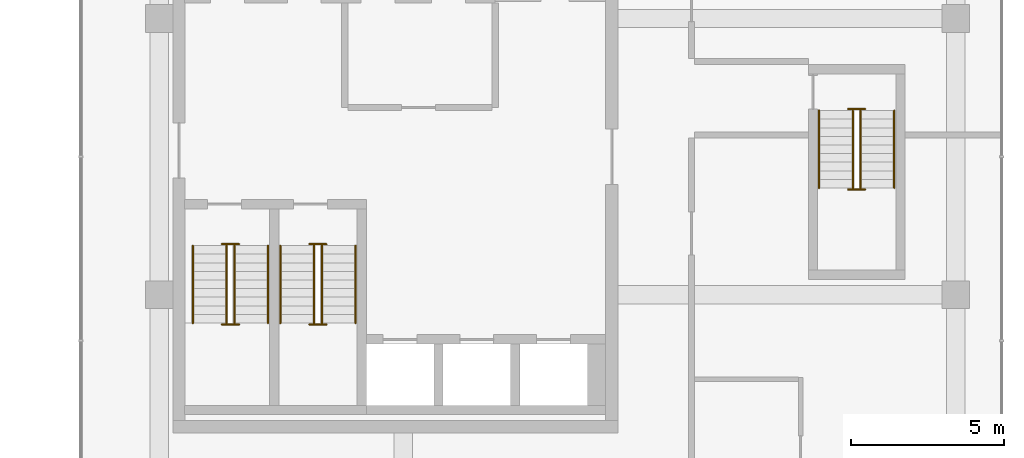
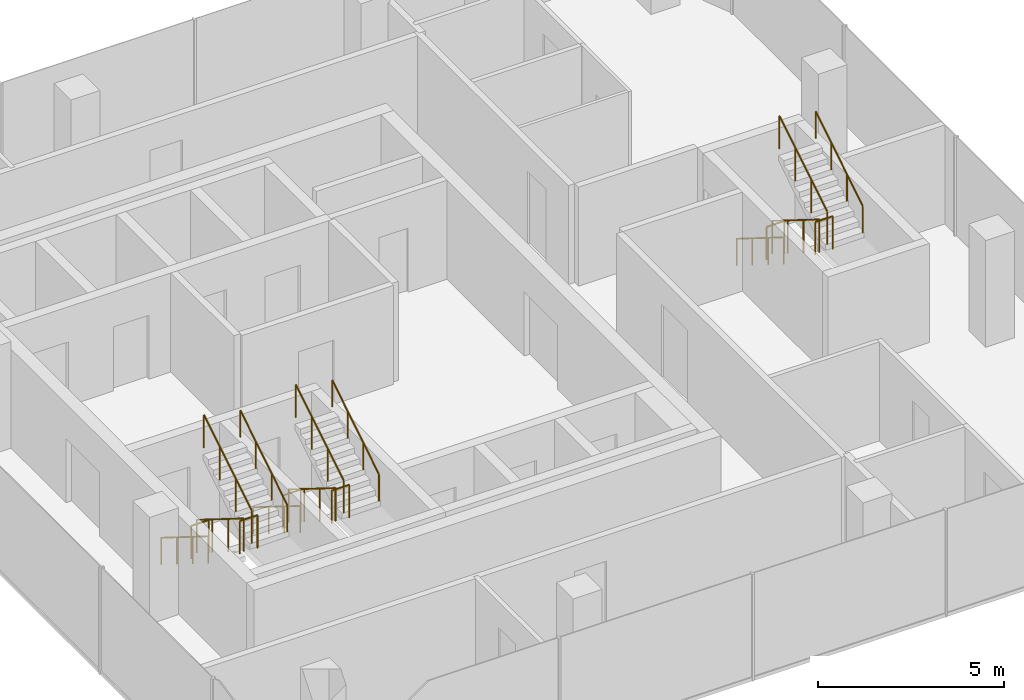
# One storey, part 22 of 22: 18 railings.
"""IFC4 building model written with IfcOpenShell, lengths in metres."""

from ifc_helpers import new_model, si_unit, direction, frame, origin, origin_2d, place, context, subcontext, project, spatial, circle, extrude, material, type_object, element, save


model = new_model("IFC4")

# Units and contexts
model_context = context("Model", 3, precision=1e-05, world=origin(), true_north=direction((0.0, 1.0)))
body_context = subcontext(model_context, "Body", "Model", "MODEL_VIEW")
ifc_project = project(units=[si_unit("LENGTHUNIT", "METRE"), si_unit("AREAUNIT", "SQUARE_METRE"), si_unit("VOLUMEUNIT", "CUBIC_METRE"), si_unit("PLANEANGLEUNIT", "RADIAN"), si_unit("MASSUNIT", "GRAM", prefix="KILO")], contexts=[model_context])

# Site, building, storey
site_placement = place(None, origin())
site = spatial("IfcSite", under=ifc_project, at=site_placement, CompositionType="ELEMENT")
building_placement = place(site_placement, origin())
building = spatial("IfcBuilding", under=site, at=building_placement, Name="Plateau Cross Towers", CompositionType="ELEMENT")
storey_placement = place(building_placement, frame((0.0, 0.0, 109.800048828125)))
storey = spatial("IfcBuildingStorey", under=building, at=storey_placement, Name="L28", CompositionType="ELEMENT", Elevation=109.800048828125)

# Railings
ifc_material_1 = material(Name="Stainless steel and toughened glass", Category="steel")
railing_type_1 = type_object("IfcRailingType", Name="RL-GUARD-1100", PredefinedType="GUARDRAIL", material=ifc_material_1)
railing_1_placement = place(storey_placement, frame((76.75, 6.10009765625, 0.175048828125)))
element("IfcRailing", 1, at=railing_1_placement, inside=storey, type_object=railing_type_1, Name="L28 SB-1 stair guard 1", PredefinedType="GUARDRAIL", context=body_context, shape_type="SweptSolid", body=[
    extrude(circle(Radius=0.02392578125, at=origin_2d()), frame((0.0, 0.0, 1.076171875), z_axis=(0.0, -0.848007534815, 0.529984170421), x_axis=(1.0, 0.0, 0.0)), (0.0, 0.0, 1.0), 2.9716796875),
    extrude(circle(Radius=0.02099609375, at=origin_2d()), origin(), (0.0, 0.0, 1.0), 1.052001953125),
    extrude(circle(Radius=0.02099609375, at=origin_2d()), frame((0.0, -0.840087890625, 0.52490234375)), (0.0, 0.0, 1.0), 1.052001953125),
    extrude(circle(Radius=0.02099609375, at=origin_2d()), frame((0.0, -1.679931640625, 1.050048828125)), (0.0, 0.0, 1.0), 1.052001953125),
    extrude(circle(Radius=0.02099609375, at=origin_2d()), frame((0.0, -2.52001953125, 1.574951171875)), (0.0, 0.0, 1.0), 1.052001953125),
])
railing_2_placement = place(storey_placement, frame((76.60009765625, 3.530029296875, 1.75)))
element("IfcRailing", 2, at=railing_2_placement, inside=storey, type_object=railing_type_1, Name="L28 SB-1 stair guard 2", PredefinedType="GUARDRAIL", context=body_context, shape_type="SweptSolid", body=[
    extrude(circle(Radius=0.02392578125, at=origin_2d()), frame((0.0, 0.0, 1.076171875), z_axis=(1.0, 0.0, 0.0), x_axis=(0.0, 1.0, 0.0)), (0.0, 0.0, 1.0), 0.5498046875),
    extrude(circle(Radius=0.02099609375, at=origin_2d()), origin(), (0.0, 0.0, 1.0), 1.052001953125),
    extrude(circle(Radius=0.02099609375, at=origin_2d()), frame((0.5498046875, 0.0, 0.0)), (0.0, 0.0, 1.0), 1.052001953125),
])
railing_3_placement = place(storey_placement, frame((77.0, 3.580078125, 1.925048828125)))
element("IfcRailing", 3, at=railing_3_placement, inside=storey, type_object=railing_type_1, Name="L28 SB-1 stair guard 3", PredefinedType="GUARDRAIL", context=body_context, shape_type="SweptSolid", body=[
    extrude(circle(Radius=0.02392578125, at=origin_2d()), frame((0.0, 0.0, 1.076171875), z_axis=(0.0, 0.852616386126, 0.522537365276), x_axis=(-1.0, 0.0, 0.0)), (0.0, 0.0, 1.0), 3.01416015625),
    extrude(circle(Radius=0.02099609375, at=origin_2d()), origin(), (0.0, 0.0, 1.0), 1.052001953125),
    extrude(circle(Radius=0.02099609375, at=origin_2d()), frame((0.0, 0.856689453125, 0.52490234375)), (0.0, 0.0, 1.0), 1.052001953125),
    extrude(circle(Radius=0.02099609375, at=origin_2d()), frame((0.0, 1.713134765625, 1.050048828125)), (0.0, 0.0, 1.0), 1.052001953125),
    extrude(circle(Radius=0.02099609375, at=origin_2d()), frame((0.0, 2.56982421875, 1.574951171875)), (0.0, 0.0, 1.0), 1.052001953125),
])
railing_4_placement = place(storey_placement, frame((76.60009765625, 6.14990234375, 0.0)))
element("IfcRailing", 4, at=railing_4_placement, inside=storey, type_object=railing_type_1, Name="L28 SB-1 stair guard 4", PredefinedType="GUARDRAIL", context=body_context, shape_type="SweptSolid", body=[
    extrude(circle(Radius=0.02392578125, at=origin_2d()), frame((0.0, 0.0, 1.076171875), z_axis=(1.0, 0.0, 0.0), x_axis=(0.0, 1.0, 0.0)), (0.0, 0.0, 1.0), 0.5498046875),
    extrude(circle(Radius=0.02099609375, at=origin_2d()), origin(), (0.0, 0.0, 1.0), 1.052001953125),
    extrude(circle(Radius=0.02099609375, at=origin_2d()), frame((0.5498046875, 0.0, 0.0)), (0.0, 0.0, 1.0), 1.052001953125),
])
railing_5_placement = place(storey_placement, frame((79.60009765625, 6.10009765625, 0.175048828125)))
element("IfcRailing", 5, at=railing_5_placement, inside=storey, type_object=railing_type_1, Name="L28 SB-2 stair guard 1", PredefinedType="GUARDRAIL", context=body_context, shape_type="SweptSolid", body=[
    extrude(circle(Radius=0.02392578125, at=origin_2d()), frame((0.0, 0.0, 1.076171875), z_axis=(0.0, -0.848007534815, 0.529984170421), x_axis=(1.0, 0.0, 0.0)), (0.0, 0.0, 1.0), 2.9716796875),
    extrude(circle(Radius=0.02099609375, at=origin_2d()), origin(), (0.0, 0.0, 1.0), 1.052001953125),
    extrude(circle(Radius=0.02099609375, at=origin_2d()), frame((0.0, -0.840087890625, 0.52490234375)), (0.0, 0.0, 1.0), 1.052001953125),
    extrude(circle(Radius=0.02099609375, at=origin_2d()), frame((0.0, -1.679931640625, 1.050048828125)), (0.0, 0.0, 1.0), 1.052001953125),
    extrude(circle(Radius=0.02099609375, at=origin_2d()), frame((0.0, -2.52001953125, 1.574951171875)), (0.0, 0.0, 1.0), 1.052001953125),
])
railing_6_placement = place(storey_placement, frame((79.449951171875, 3.530029296875, 1.75)))
element("IfcRailing", 6, at=railing_6_placement, inside=storey, type_object=railing_type_1, Name="L28 SB-2 stair guard 2", PredefinedType="GUARDRAIL", context=body_context, shape_type="SweptSolid", body=[
    extrude(circle(Radius=0.02392578125, at=origin_2d()), frame((0.0, 0.0, 1.076171875), z_axis=(1.0, 0.0, 0.0), x_axis=(0.0, 1.0, 0.0)), (0.0, 0.0, 1.0), 0.550048828125),
    extrude(circle(Radius=0.02099609375, at=origin_2d()), origin(), (0.0, 0.0, 1.0), 1.052001953125),
    extrude(circle(Radius=0.02099609375, at=origin_2d()), frame((0.550048828125, 0.0, 0.0)), (0.0, 0.0, 1.0), 1.052001953125),
])
railing_7_placement = place(storey_placement, frame((79.85009765625, 3.580078125, 1.925048828125)))
element("IfcRailing", 7, at=railing_7_placement, inside=storey, type_object=railing_type_1, Name="L28 SB-2 stair guard 3", PredefinedType="GUARDRAIL", context=body_context, shape_type="SweptSolid", body=[
    extrude(circle(Radius=0.02392578125, at=origin_2d()), frame((0.0, 0.0, 1.076171875), z_axis=(0.0, 0.852616386126, 0.522537365276), x_axis=(-1.0, 0.0, 0.0)), (0.0, 0.0, 1.0), 3.01416015625),
    extrude(circle(Radius=0.02099609375, at=origin_2d()), origin(), (0.0, 0.0, 1.0), 1.052001953125),
    extrude(circle(Radius=0.02099609375, at=origin_2d()), frame((0.0, 0.856689453125, 0.52490234375)), (0.0, 0.0, 1.0), 1.052001953125),
    extrude(circle(Radius=0.02099609375, at=origin_2d()), frame((0.0, 1.713134765625, 1.050048828125)), (0.0, 0.0, 1.0), 1.052001953125),
    extrude(circle(Radius=0.02099609375, at=origin_2d()), frame((0.0, 2.56982421875, 1.574951171875)), (0.0, 0.0, 1.0), 1.052001953125),
])
railing_8_placement = place(storey_placement, frame((79.449951171875, 6.14990234375, 0.0)))
element("IfcRailing", 8, at=railing_8_placement, inside=storey, type_object=railing_type_1, Name="L28 SB-2 stair guard 4", PredefinedType="GUARDRAIL", context=body_context, shape_type="SweptSolid", body=[
    extrude(circle(Radius=0.02392578125, at=origin_2d()), frame((0.0, 0.0, 1.076171875), z_axis=(1.0, 0.0, 0.0), x_axis=(0.0, 1.0, 0.0)), (0.0, 0.0, 1.0), 0.550048828125),
    extrude(circle(Radius=0.02099609375, at=origin_2d()), origin(), (0.0, 0.0, 1.0), 1.052001953125),
    extrude(circle(Radius=0.02099609375, at=origin_2d()), frame((0.550048828125, 0.0, 0.0)), (0.0, 0.0, 1.0), 1.052001953125),
])
railing_9_placement = place(storey_placement, frame((97.14990234375, 10.5, 0.175048828125)))
element("IfcRailing", 9, at=railing_9_placement, inside=storey, type_object=railing_type_1, Name="L28 SB-3 stair guard 1", PredefinedType="GUARDRAIL", context=body_context, shape_type="SweptSolid", body=[
    extrude(circle(Radius=0.02392578125, at=origin_2d()), frame((0.0, 0.0, 1.076171875), z_axis=(0.0, -0.848007534815, 0.529984170421), x_axis=(1.0, 0.0, 0.0)), (0.0, 0.0, 1.0), 2.9716796875),
    extrude(circle(Radius=0.02099609375, at=origin_2d()), origin(), (0.0, 0.0, 1.0), 1.052001953125),
    extrude(circle(Radius=0.02099609375, at=origin_2d()), frame((0.0, -0.840087890625, 0.52490234375)), (0.0, 0.0, 1.0), 1.052001953125),
    extrude(circle(Radius=0.02099609375, at=origin_2d()), frame((0.0, -1.679931640625, 1.050048828125)), (0.0, 0.0, 1.0), 1.052001953125),
    extrude(circle(Radius=0.02099609375, at=origin_2d()), frame((0.0, -2.52001953125, 1.574951171875)), (0.0, 0.0, 1.0), 1.052001953125),
])
railing_10_placement = place(storey_placement, frame((97.0, 7.929931640625, 1.75)))
element("IfcRailing", 10, at=railing_10_placement, inside=storey, type_object=railing_type_1, Name="L28 SB-3 stair guard 2", PredefinedType="GUARDRAIL", context=body_context, shape_type="SweptSolid", body=[
    extrude(circle(Radius=0.02392578125, at=origin_2d()), frame((0.0, 0.0, 1.076171875), z_axis=(1.0, 0.0, 0.0), x_axis=(0.0, 1.0, 0.0)), (0.0, 0.0, 1.0), 0.550048828125),
    extrude(circle(Radius=0.02099609375, at=origin_2d()), origin(), (0.0, 0.0, 1.0), 1.052001953125),
    extrude(circle(Radius=0.02099609375, at=origin_2d()), frame((0.550048828125, 0.0, 0.0)), (0.0, 0.0, 1.0), 1.052001953125),
])
railing_11_placement = place(storey_placement, frame((97.39990234375, 7.97998046875, 1.925048828125)))
element("IfcRailing", 11, at=railing_11_placement, inside=storey, type_object=railing_type_1, Name="L28 SB-3 stair guard 3", PredefinedType="GUARDRAIL", context=body_context, shape_type="SweptSolid", body=[
    extrude(circle(Radius=0.02392578125, at=origin_2d()), frame((0.0, 0.0, 1.076171875), z_axis=(0.0, 0.852638500773, 0.522501279423), x_axis=(-1.0, 0.0, 0.0)), (0.0, 0.0, 1.0), 3.01416015625),
    extrude(circle(Radius=0.02099609375, at=origin_2d()), origin(), (0.0, 0.0, 1.0), 1.052001953125),
    extrude(circle(Radius=0.02099609375, at=origin_2d()), frame((0.0, 0.856689453125, 0.52490234375)), (0.0, 0.0, 1.0), 1.052001953125),
    extrude(circle(Radius=0.02099609375, at=origin_2d()), frame((0.0, 1.71337890625, 1.050048828125)), (0.0, 0.0, 1.0), 1.052001953125),
    extrude(circle(Radius=0.02099609375, at=origin_2d()), frame((0.0, 2.570068359375, 1.574951171875)), (0.0, 0.0, 1.0), 1.052001953125),
])
railing_12_placement = place(storey_placement, frame((97.0, 10.550048828125, 0.0)))
element("IfcRailing", 12, at=railing_12_placement, inside=storey, type_object=railing_type_1, Name="L28 SB-3 stair guard 4", PredefinedType="GUARDRAIL", context=body_context, shape_type="SweptSolid", body=[
    extrude(circle(Radius=0.02392578125, at=origin_2d()), frame((0.0, 0.0, 1.076171875), z_axis=(1.0, 0.0, 0.0), x_axis=(0.0, 1.0, 0.0)), (0.0, 0.0, 1.0), 0.550048828125),
    extrude(circle(Radius=0.02099609375, at=origin_2d()), origin(), (0.0, 0.0, 1.0), 1.052001953125),
    extrude(circle(Radius=0.02099609375, at=origin_2d()), frame((0.550048828125, 0.0, 0.0)), (0.0, 0.0, 1.0), 1.052001953125),
])
ifc_material_2 = material(Name="Black anodised aluminium", Category="aluminium")
railing_type_2 = type_object("IfcRailingType", Name="RL-HANDRAIL-900", PredefinedType="HANDRAIL", material=ifc_material_2)
railing_13_placement = place(storey_placement, frame((75.64990234375, 6.10009765625, 0.175048828125)))
element("IfcRailing", 13, at=railing_13_placement, inside=storey, type_object=railing_type_2, Name="L28 SB-1 stair handrail 1", PredefinedType="HANDRAIL", context=body_context, shape_type="SweptSolid", body=[
    extrude(circle(Radius=0.02392578125, at=origin_2d()), frame((0.0, 0.0, 0.8759765625), z_axis=(0.0, -0.848007534815, 0.529984170421), x_axis=(1.0, 0.0, 0.0)), (0.0, 0.0, 1.0), 2.9716796875),
    extrude(circle(Radius=0.02099609375, at=origin_2d()), origin(), (0.0, 0.0, 1.0), 0.851806640625),
    extrude(circle(Radius=0.02099609375, at=origin_2d()), frame((0.0, -0.840087890625, 0.52490234375)), (0.0, 0.0, 1.0), 0.851806640625),
    extrude(circle(Radius=0.02099609375, at=origin_2d()), frame((0.0, -1.679931640625, 1.050048828125)), (0.0, 0.0, 1.0), 0.851806640625),
    extrude(circle(Radius=0.02099609375, at=origin_2d()), frame((0.0, -2.52001953125, 1.574951171875)), (0.0, 0.0, 1.0), 0.851806640625),
])
railing_14_placement = place(storey_placement, frame((78.10009765625, 3.580078125, 1.925048828125)))
element("IfcRailing", 14, at=railing_14_placement, inside=storey, type_object=railing_type_2, Name="L28 SB-1 stair handrail 2", PredefinedType="HANDRAIL", context=body_context, shape_type="SweptSolid", body=[
    extrude(circle(Radius=0.02392578125, at=origin_2d()), frame((0.0, 0.0, 0.8759765625), z_axis=(0.0, 0.848007534815, 0.529984170421), x_axis=(-1.0, 0.0, 0.0)), (0.0, 0.0, 1.0), 2.9716796875),
    extrude(circle(Radius=0.02099609375, at=origin_2d()), origin(), (0.0, 0.0, 1.0), 0.851806640625),
    extrude(circle(Radius=0.02099609375, at=origin_2d()), frame((0.0, 0.840087890625, 0.52490234375)), (0.0, 0.0, 1.0), 0.851806640625),
    extrude(circle(Radius=0.02099609375, at=origin_2d()), frame((0.0, 1.679931640625, 1.050048828125)), (0.0, 0.0, 1.0), 0.851806640625),
    extrude(circle(Radius=0.02099609375, at=origin_2d()), frame((0.0, 2.52001953125, 1.574951171875)), (0.0, 0.0, 1.0), 0.851806640625),
])
railing_15_placement = place(storey_placement, frame((78.5, 6.10009765625, 0.175048828125)))
element("IfcRailing", 15, at=railing_15_placement, inside=storey, type_object=railing_type_2, Name="L28 SB-2 stair handrail 1", PredefinedType="HANDRAIL", context=body_context, shape_type="SweptSolid", body=[
    extrude(circle(Radius=0.02392578125, at=origin_2d()), frame((0.0, 0.0, 0.8759765625), z_axis=(0.0, -0.848007534815, 0.529984170421), x_axis=(1.0, 0.0, 0.0)), (0.0, 0.0, 1.0), 2.9716796875),
    extrude(circle(Radius=0.02099609375, at=origin_2d()), origin(), (0.0, 0.0, 1.0), 0.851806640625),
    extrude(circle(Radius=0.02099609375, at=origin_2d()), frame((0.0, -0.840087890625, 0.52490234375)), (0.0, 0.0, 1.0), 0.851806640625),
    extrude(circle(Radius=0.02099609375, at=origin_2d()), frame((0.0, -1.679931640625, 1.050048828125)), (0.0, 0.0, 1.0), 0.851806640625),
    extrude(circle(Radius=0.02099609375, at=origin_2d()), frame((0.0, -2.52001953125, 1.574951171875)), (0.0, 0.0, 1.0), 0.851806640625),
])
railing_16_placement = place(storey_placement, frame((80.949951171875, 3.580078125, 1.925048828125)))
element("IfcRailing", 16, at=railing_16_placement, inside=storey, type_object=railing_type_2, Name="L28 SB-2 stair handrail 2", PredefinedType="HANDRAIL", context=body_context, shape_type="SweptSolid", body=[
    extrude(circle(Radius=0.02392578125, at=origin_2d()), frame((0.0, 0.0, 0.8759765625), z_axis=(0.0, 0.848007534815, 0.529984170421), x_axis=(-1.0, 0.0, 0.0)), (0.0, 0.0, 1.0), 2.9716796875),
    extrude(circle(Radius=0.02099609375, at=origin_2d()), origin(), (0.0, 0.0, 1.0), 0.851806640625),
    extrude(circle(Radius=0.02099609375, at=origin_2d()), frame((0.0, 0.840087890625, 0.52490234375)), (0.0, 0.0, 1.0), 0.851806640625),
    extrude(circle(Radius=0.02099609375, at=origin_2d()), frame((0.0, 1.679931640625, 1.050048828125)), (0.0, 0.0, 1.0), 0.851806640625),
    extrude(circle(Radius=0.02099609375, at=origin_2d()), frame((0.0, 2.52001953125, 1.574951171875)), (0.0, 0.0, 1.0), 0.851806640625),
])
railing_17_placement = place(storey_placement, frame((96.050048828125, 10.5, 0.175048828125)))
element("IfcRailing", 17, at=railing_17_placement, inside=storey, type_object=railing_type_2, Name="L28 SB-3 stair handrail 1", PredefinedType="HANDRAIL", context=body_context, shape_type="SweptSolid", body=[
    extrude(circle(Radius=0.02392578125, at=origin_2d()), frame((0.0, 0.0, 0.8759765625), z_axis=(0.0, -0.848007534815, 0.529984170421), x_axis=(1.0, 0.0, 0.0)), (0.0, 0.0, 1.0), 2.9716796875),
    extrude(circle(Radius=0.02099609375, at=origin_2d()), origin(), (0.0, 0.0, 1.0), 0.851806640625),
    extrude(circle(Radius=0.02099609375, at=origin_2d()), frame((0.0, -0.840087890625, 0.52490234375)), (0.0, 0.0, 1.0), 0.851806640625),
    extrude(circle(Radius=0.02099609375, at=origin_2d()), frame((0.0, -1.679931640625, 1.050048828125)), (0.0, 0.0, 1.0), 0.851806640625),
    extrude(circle(Radius=0.02099609375, at=origin_2d()), frame((0.0, -2.52001953125, 1.574951171875)), (0.0, 0.0, 1.0), 0.851806640625),
])
railing_18_placement = place(storey_placement, frame((98.5, 7.97998046875, 1.925048828125)))
element("IfcRailing", 18, at=railing_18_placement, inside=storey, type_object=railing_type_2, Name="L28 SB-3 stair handrail 2", PredefinedType="HANDRAIL", context=body_context, shape_type="SweptSolid", body=[
    extrude(circle(Radius=0.02392578125, at=origin_2d()), frame((0.0, 0.0, 0.8759765625), z_axis=(0.0, 0.848007534815, 0.529984170421), x_axis=(-1.0, 0.0, 0.0)), (0.0, 0.0, 1.0), 2.9716796875),
    extrude(circle(Radius=0.02099609375, at=origin_2d()), origin(), (0.0, 0.0, 1.0), 0.851806640625),
    extrude(circle(Radius=0.02099609375, at=origin_2d()), frame((0.0, 0.840087890625, 0.52490234375)), (0.0, 0.0, 1.0), 0.851806640625),
    extrude(circle(Radius=0.02099609375, at=origin_2d()), frame((0.0, 1.679931640625, 1.050048828125)), (0.0, 0.0, 1.0), 0.851806640625),
    extrude(circle(Radius=0.02099609375, at=origin_2d()), frame((0.0, 2.52001953125, 1.574951171875)), (0.0, 0.0, 1.0), 0.851806640625),
])

save(model, "model.ifc")
